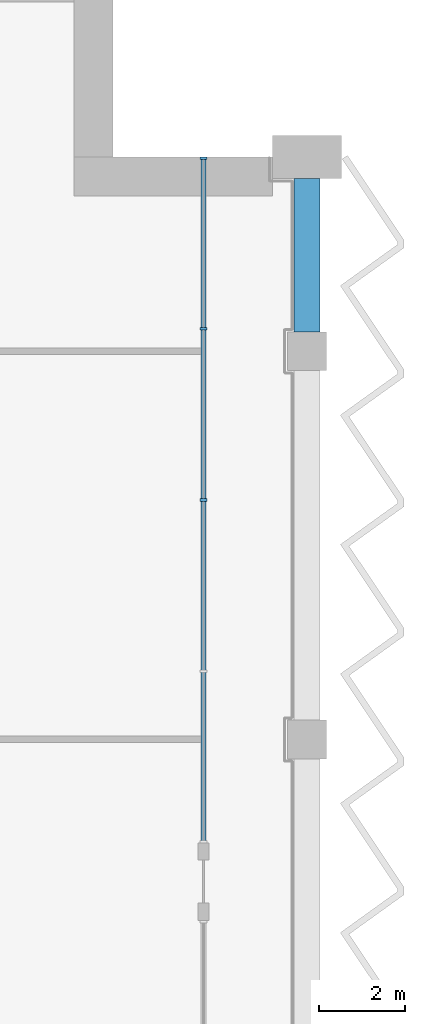
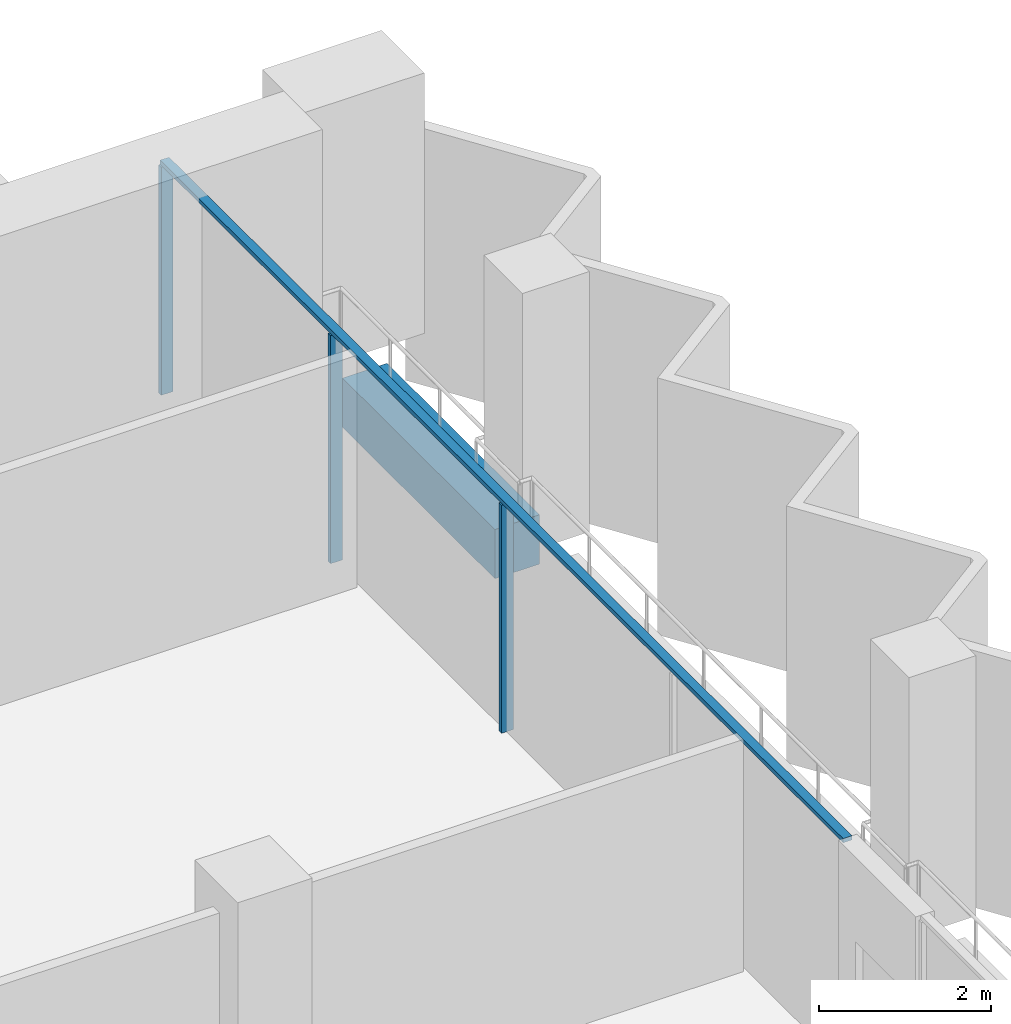
# One storey, part 6 of 17: 4 members, 1 beam, 1 element without a shape of its own.
"""IFC4 building model written with IfcOpenShell, lengths in metres."""

from ifc_helpers import new_model, si_unit, direction, frame, origin, origin_2d, place, context, subcontext, project, spatial, rectangle, extrude, material, material_profile, profile_set, type_object, element, aggregate, save


model = new_model("IFC4")

# Units and contexts
model_context = context("Model", 3, precision=1e-05, world=origin(), true_north=direction((0.0, 1.0)))
body_context = subcontext(model_context, "Body", "Model", "MODEL_VIEW")
ifc_project = project(units=[si_unit("LENGTHUNIT", "METRE"), si_unit("AREAUNIT", "SQUARE_METRE"), si_unit("VOLUMEUNIT", "CUBIC_METRE"), si_unit("PLANEANGLEUNIT", "RADIAN"), si_unit("MASSUNIT", "GRAM", prefix="KILO")], contexts=[model_context])

# Site, building, storey
site_placement = place(None, origin())
site = spatial("IfcSite", under=ifc_project, at=site_placement, CompositionType="ELEMENT")
building_placement = place(site_placement, origin())
building = spatial("IfcBuilding", under=site, at=building_placement, Name="Hunhe Ridgeline Campus", CompositionType="ELEMENT")
storey_placement = place(building_placement, frame((0.0, 0.0, 268.800048828125)))
storey = spatial("IfcBuildingStorey", under=building, at=storey_placement, Name="L69", CompositionType="ELEMENT", Elevation=268.800048828125)

# Curtain wall, members
ifc_material_1 = material(Name="Aluminium 6063", Category="aluminium")
curtain_wall_type = type_object("IfcCurtainWallType", Name="Curtain wall CW-1", PredefinedType="NOTDEFINED", material=ifc_material_1)
curtain_wall_placement = place(storey_placement, origin())
curtain_wall = element("IfcCurtainWall", 1, at=curtain_wall_placement, inside=storey, type_object=curtain_wall_type, Name="Curtain wall 13", PredefinedType="NOTDEFINED")
ifc_material_profile_1 = material_profile(ifc_material_1, rectangle(XDim=0.159912109375, YDim=0.06005859375, at=origin_2d()))
ifc_profile_set_1 = profile_set([ifc_material_profile_1], Name="Aluminium 6063")
member_type_1 = type_object("IfcMemberType", Name="CW-1 aluminium mullion", PredefinedType="MULLION", material=ifc_profile_set_1)
member_1_placement = place(storey_placement, frame((51.59912109375, 86.55029296875, 0.0), z_axis=(0.0, 0.0, 1.0), x_axis=(-1.0, 0.0, 0.0)))
member_1 = element("IfcMember", 2, at=member_1_placement, type_object=member_type_1, Name="CW-1 mullion 3", PredefinedType="MULLION", context=body_context, shape_type="SweptSolid", body=[
    extrude(rectangle(XDim=0.159912109375, YDim=0.06005859375, at=origin_2d()), origin(), (0.0, 0.0, 1.0), 3.239990234375),
])
member_2_placement = place(storey_placement, frame((51.59912109375, 90.525146484375, 0.0), z_axis=(0.0, 0.0, 1.0), x_axis=(-1.0, 0.0, 0.0)))
member_2 = element("IfcMember", 3, at=member_2_placement, type_object=member_type_1, Name="CW-1 mullion 4", PredefinedType="MULLION", context=body_context, shape_type="SweptSolid", body=[
    extrude(rectangle(XDim=0.159912109375, YDim=0.06005859375, at=origin_2d()), origin(), (0.0, 0.0, 1.0), 3.239990234375),
])
member_3_placement = place(storey_placement, frame((51.59912109375, 94.469970703125, 0.0), z_axis=(0.0, 0.0, 1.0), x_axis=(-1.0, 0.0, 0.0)))
member_3 = element("IfcMember", 4, at=member_3_placement, type_object=member_type_1, Name="CW-1 mullion 5", PredefinedType="MULLION", context=body_context, shape_type="SweptSolid", body=[
    extrude(rectangle(XDim=0.159912109375, YDim=0.06005859375, at=origin_2d()), origin(), (0.0, 0.0, 1.0), 3.239990234375),
])
ifc_material_profile_2 = material_profile(ifc_material_1, rectangle(XDim=0.1201171875, YDim=0.06005859375, at=origin_2d()))
ifc_profile_set_2 = profile_set([ifc_material_profile_2], Name="Aluminium 6063")
member_type_2 = type_object("IfcMemberType", Name="CW-1 aluminium transom", PredefinedType="USERDEFINED", material=ifc_profile_set_2)
member_4_placement = place(storey_placement, frame((51.59912109375, 78.6005859375, 3.27001953125), z_axis=(0.0, 1.0, 0.0), x_axis=(-1.0, 0.0, 0.0)))
member_4 = element("IfcMember", 5, at=member_4_placement, type_object=member_type_2, Name="CW-1 transom 1", ObjectType="TRANSOM", PredefinedType="USERDEFINED", context=body_context, shape_type="SweptSolid", body=[
    extrude(rectangle(XDim=0.1201171875, YDim=0.06005859375, at=origin_2d()), origin(), (0.0, 0.0, 1.0), 15.8994140625),
])
aggregate(curtain_wall, [member_4, member_1, member_2, member_3])

# Beam
ifc_material_2 = material(Name="Concrete C50", Category="concrete")
ifc_material_profile_3 = material_profile(ifc_material_2, rectangle(XDim=0.60009765625, YDim=0.699951171875, at=origin_2d()))
ifc_profile_set_3 = profile_set([ifc_material_profile_3], Name="Concrete C50")
beam_type = type_object("IfcBeamType", Name="RC spandrel beam 600x700 Concrete C50", PredefinedType="SPANDREL", material=ifc_profile_set_3)
beam_placement = place(storey_placement, frame((54.0, 90.449951171875, -0.60009765625), z_axis=(0.0, 1.0, 0.0), x_axis=(-1.0, 0.0, 0.0)))
element("IfcBeam", 6, at=beam_placement, inside=storey, type_object=beam_type, Name="Spandrel beam B4-17 L69", PredefinedType="SPANDREL", context=body_context, shape_type="SweptSolid", body=[
    extrude(rectangle(XDim=0.60009765625, YDim=0.699951171875, at=origin_2d()), origin(), (0.0, 0.0, 1.0), 3.550048828125),
])

save(model, "model.ifc")
